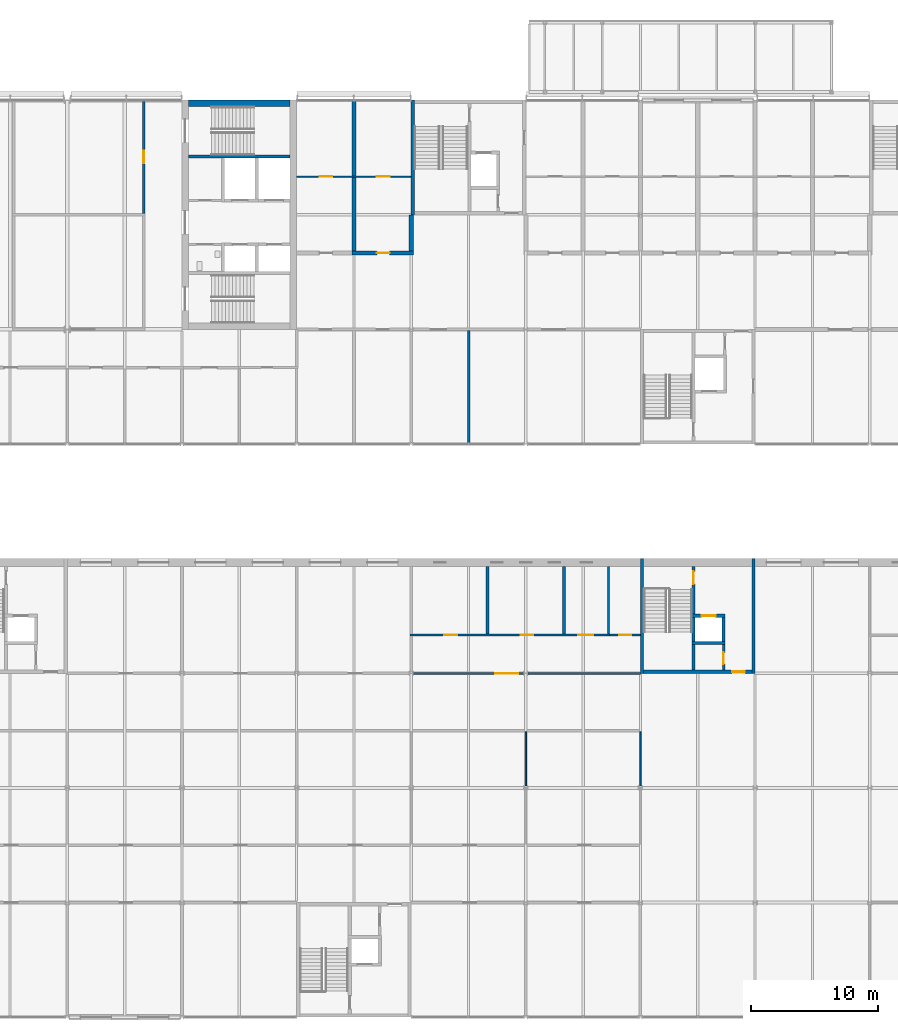
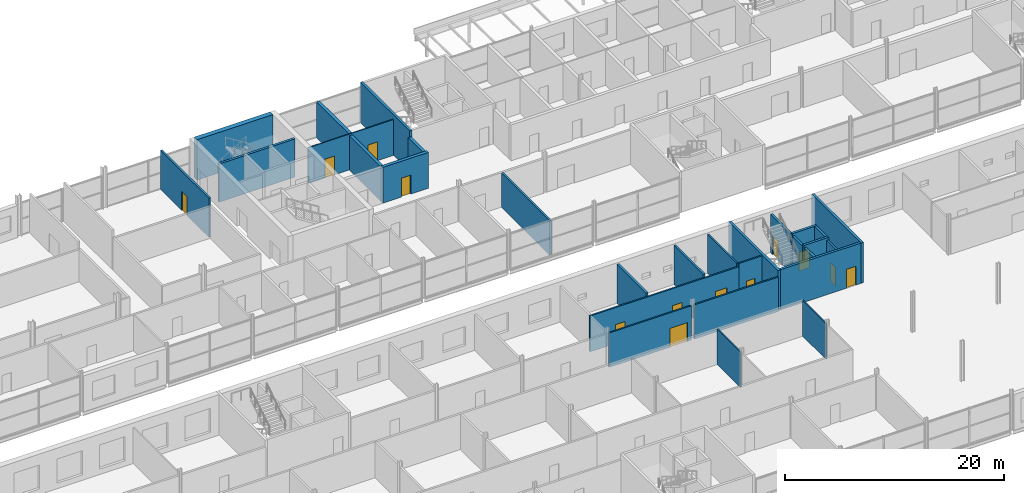
# One storey, part 75 of 97: 27 walls, 13 doors, 13 openings.
"""IFC4 building model written with IfcOpenShell, lengths in metres."""

from ifc_helpers import new_model, si_unit, direction, frame, frame_2d, origin, place, context, subcontext, project, spatial, rectangle, extrude, material, layer, layer_set, type_object, element, fill, save


model = new_model("IFC4")

# Units and contexts
model_context = context("Model", 3, precision=1e-05, world=origin(), true_north=direction((0.0, 1.0)))
body_context = subcontext(model_context, "Body", "Model", "MODEL_VIEW")
ifc_project = project(units=[si_unit("LENGTHUNIT", "METRE"), si_unit("AREAUNIT", "SQUARE_METRE"), si_unit("VOLUMEUNIT", "CUBIC_METRE"), si_unit("PLANEANGLEUNIT", "RADIAN"), si_unit("MASSUNIT", "GRAM", prefix="KILO")], contexts=[model_context])

# Site, building, storey
site_placement = place(None, origin())
site = spatial("IfcSite", under=ifc_project, at=site_placement, CompositionType="ELEMENT")
building_placement = place(site_placement, origin())
building = spatial("IfcBuilding", under=site, at=building_placement, Name="Corbel Yard City Hall", CompositionType="ELEMENT")
storey_placement = place(building_placement, frame((0.0, 0.0, 6.0)))
storey = spatial("IfcBuildingStorey", under=building, at=storey_placement, Name="L01", CompositionType="ELEMENT", Elevation=6.0)

# Walls
ifc_material_1 = material(Name="Concrete N50 (50 MPa)", Category="concrete")
ifc_layer_1 = layer(ifc_material_1, 0.25)
ifc_layer_set_1 = layer_set([ifc_layer_1], Name="Concrete N50 (50 MPa)")
wall_type_1 = type_object("IfcWallType", Name="Core cell wall 250", PredefinedType="SHEAR", material=ifc_layer_set_1)
for number, where, z_axis, x_axis, name in (
    (1, (81.125, 72.0, 0.0), (0.0, 0.0, 1.0), (0.0, 1.0, 0.0), "Core PC-M7 west wall"),
    (2, (89.875, 72.0, 0.0), (0.0, 0.0, 1.0), (0.0, 1.0, 0.0), "Core PC-M7 east wall"),
):
    element("IfcWall", number, at=place(storey_placement, frame(where, z_axis=z_axis, x_axis=x_axis)), inside=storey, type_object=wall_type_1, Name=name, PredefinedType="SHEAR", context=body_context, shape_type="SweptSolid", body=[
        extrude(rectangle(XDim=9.0, YDim=0.25, at=frame_2d((4.5, 0.0))), origin(), (0.0, 0.0, 1.0), 4.5),
    ])

# Wall, opening, door
wall_1_placement = place(storey_placement, frame((81.25, 72.125, 0.0), z_axis=(0.0, 0.0, 1.0), x_axis=(1.0, 0.0, 0.0)))
wall_1 = element("IfcWall", 3, at=wall_1_placement, inside=storey, type_object=wall_type_1, Name="Core PC-M7 south wall", PredefinedType="SHEAR", context=body_context, shape_type="SweptSolid", body=[
    extrude(rectangle(XDim=8.5, YDim=0.25, at=frame_2d((4.25, 0.0))), origin(), (0.0, 0.0, 1.0), 4.5),
])
opening_1_placement = place(wall_1_placement, frame((6.949951171875, 0.0, 0.0)))
opening_1 = element("IfcOpeningElement", 4, at=opening_1_placement, cuts=wall_1, Name="Opening L01-100", PredefinedType="OPENING", context=body_context, shape_type="SweptSolid", body=[
    extrude(rectangle(XDim=1.0, YDim=2.10009765625, at=frame_2d((0.5, 1.050048828125))), frame((0.0, 0.135009765625, 0.0), z_axis=(0.0, -1.0, 0.0), x_axis=(1.0, 0.0, 0.0)), (0.0, 0.0, 1.0), 0.27001953125),
])
ifc_material_2 = material(Name="Steel Grade G250", Category="steel")
door_type_1 = type_object("IfcDoorType", Name="FS1", OperationType="SINGLE_SWING_LEFT", PredefinedType="DOOR", material=ifc_material_2)
door_1_placement = place(opening_1_placement, origin())
door_1 = element("IfcDoor", 5, at=door_1_placement, inside=storey, type_object=door_type_1, Name="Door Lift Lobby", OperationType="SINGLE_SWING_LEFT", OverallHeight=2.10009765625, OverallWidth=1.0, PredefinedType="DOOR", context=body_context, shape_type="SweptSolid", body=[
    extrude(rectangle(XDim=1.0, YDim=2.10009765625, at=frame_2d((0.5, 1.050048828125))), frame((0.0, 0.02490234375, 0.0), z_axis=(0.0, -1.0, 0.0), x_axis=(1.0, 0.0, 0.0)), (0.0, 0.0, 1.0), 0.050048828125),
])
fill(opening_1, door_1)

# Wall
wall_2_placement = place(storey_placement, frame((63.125, 108.0, 0.0), z_axis=(0.0, 0.0, 1.0), x_axis=(0.0, 1.0, 0.0)))
element("IfcWall", 6, at=wall_2_placement, inside=storey, type_object=wall_type_1, Name="Core PC-N1 west wall", PredefinedType="SHEAR", context=body_context, shape_type="SweptSolid", body=[
    extrude(rectangle(XDim=9.0, YDim=0.25, at=frame_2d((4.5, 0.0))), origin(), (0.0, 0.0, 1.0), 4.5),
])

# Wall, opening, door
ifc_material_3 = material(Name="Concrete N40 (40 MPa)", Category="concrete")
ifc_layer_2 = layer(ifc_material_3, 0.25)
ifc_layer_set_2 = layer_set([ifc_layer_2], Name="Concrete N40 (40 MPa)")
wall_type_2 = type_object("IfcWallType", Name="IW2", PredefinedType="SOLIDWALL", material=ifc_layer_set_2)
wall_3_placement = place(storey_placement, frame((85.175048828125, 80.39990234375, 0.0), z_axis=(0.0, 0.0, 1.0), x_axis=(0.0, -1.0, 0.0)))
wall_3 = element("IfcWall", 7, at=wall_3_placement, inside=storey, type_object=wall_type_2, Name="Stair enclosure wall", PredefinedType="SOLIDWALL", context=body_context, shape_type="SweptSolid", body=[
    extrude(rectangle(XDim=8.14990234375, YDim=0.25, at=frame_2d((4.074951171875, 0.0))), origin(), (0.0, 0.0, 1.0), 4.25),
])
opening_2_placement = place(wall_3_placement, frame((0.39990234375, 0.0, 0.0)))
opening_2 = element("IfcOpeningElement", 8, at=opening_2_placement, cuts=wall_3, Name="Opening L01-099", PredefinedType="OPENING", context=body_context, shape_type="SweptSolid", body=[
    extrude(rectangle(XDim=1.0, YDim=2.10009765625, at=frame_2d((0.5, 1.050048828125))), frame((0.0, 0.135009765625, 0.0), z_axis=(0.0, -1.0, 0.0), x_axis=(1.0, 0.0, 0.0)), (0.0, 0.0, 1.0), 0.27001953125),
])
door_2_placement = place(opening_2_placement, frame((1.0, 0.0, 0.0), z_axis=(0.0, 0.0, 1.0), x_axis=(-1.0, 0.0, 0.0)))
door_2 = element("IfcDoor", 9, at=door_2_placement, inside=storey, type_object=door_type_1, Name="Door Exit Stair 14", OperationType="SINGLE_SWING_RIGHT", OverallHeight=2.10009765625, OverallWidth=1.0, PredefinedType="DOOR", context=body_context, shape_type="SweptSolid", body=[
    extrude(rectangle(XDim=1.0, YDim=2.10009765625, at=frame_2d((0.5, 1.050048828125))), frame((0.0, 0.02490234375, 0.0), z_axis=(0.0, -1.0, 0.0), x_axis=(1.0, 0.0, 0.0)), (0.0, 0.0, 1.0), 0.050048828125),
])
fill(opening_2, door_2)

# Wall
wall_4_placement = place(storey_placement, frame((85.050048828125, 74.375, 0.0), z_axis=(0.0, 0.0, 1.0), x_axis=(1.0, 0.0, 0.0)))
element("IfcWall", 10, at=wall_4_placement, inside=storey, type_object=wall_type_2, Name="Lift LP14 shaft wall", PredefinedType="SOLIDWALL", context=body_context, shape_type="SweptSolid", body=[
    extrude(rectangle(XDim=2.599853515625, YDim=0.25, at=frame_2d((1.2998046875, 0.0))), origin(), (0.0, 0.0, 1.0), 4.5),
])

# Wall, opening, door
wall_5_placement = place(storey_placement, frame((85.050048828125, 76.52490234375, 0.0), z_axis=(0.0, 0.0, 1.0), x_axis=(1.0, 0.0, 0.0)))
wall_5 = element("IfcWall", 11, at=wall_5_placement, inside=storey, type_object=wall_type_2, Name="Lift LP14 shaft wall", PredefinedType="SOLIDWALL", context=body_context, shape_type="SweptSolid", body=[
    extrude(rectangle(XDim=2.599853515625, YDim=0.25, at=frame_2d((1.2998046875, 0.0))), origin(), (0.0, 0.0, 1.0), 4.5),
])
opening_3_placement = place(wall_5_placement, frame((0.75, 0.0, 0.0)))
opening_3 = element("IfcOpeningElement", 12, at=opening_3_placement, cuts=wall_5, Name="Opening L01-056", PredefinedType="OPENING", context=body_context, shape_type="SweptSolid", body=[
    extrude(rectangle(XDim=1.10009765625, YDim=2.10009765625, at=frame_2d((0.550048828125, 1.050048828125))), frame((0.0, 0.135009765625, 0.0), z_axis=(0.0, -1.0, 0.0), x_axis=(1.0, 0.0, 0.0)), (0.0, 0.0, 1.0), 0.27001953125),
])
ifc_material_4 = material(Name="Stainless steel Grade 316", Category="steel")
door_type_2 = type_object("IfcDoorType", Name="LD1", OperationType="DOUBLE_DOOR_SLIDING", PredefinedType="DOOR", material=ifc_material_4)
door_3_placement = place(opening_3_placement, origin())
door_3 = element("IfcDoor", 13, at=door_3_placement, inside=storey, type_object=door_type_2, Name="Lift LP14 landing door", OperationType="DOUBLE_DOOR_SLIDING", OverallHeight=2.10009765625, OverallWidth=1.10009765625, PredefinedType="DOOR", context=body_context, shape_type="SweptSolid", body=[
    extrude(rectangle(XDim=1.10009765625, YDim=2.10009765625, at=frame_2d((0.550048828125, 1.050048828125))), frame((0.0, 0.02490234375, 0.0), z_axis=(0.0, -1.0, 0.0), x_axis=(1.0, 0.0, 0.0)), (0.0, 0.0, 1.0), 0.050048828125),
])
fill(opening_3, door_3)

# Walls
wall_6_placement = place(storey_placement, frame((87.52490234375, 74.5, 0.0), z_axis=(0.0, 0.0, 1.0), x_axis=(0.0, 1.0, 0.0)))
element("IfcWall", 14, at=wall_6_placement, inside=storey, type_object=wall_type_2, Name="Lift LP14 shaft wall", PredefinedType="SOLIDWALL", context=body_context, shape_type="SweptSolid", body=[
    extrude(rectangle(XDim=1.89990234375, YDim=0.25, at=frame_2d((0.949951171875, 0.0))), origin(), (0.0, 0.0, 1.0), 4.5),
])
wall_7_placement = place(storey_placement, frame((45.5, 112.574951171875, 0.0), z_axis=(0.0, 0.0, 1.0), x_axis=(1.0, 0.0, 0.0)))
element("IfcWall", 15, at=wall_7_placement, inside=storey, type_object=wall_type_2, Name="Stair enclosure wall", PredefinedType="SOLIDWALL", context=body_context, shape_type="SweptSolid", body=[
    extrude(rectangle(XDim=8.0, YDim=0.25, at=frame_2d((4.0, 0.0))), origin(), (0.0, 0.0, 1.0), 4.25),
])
ifc_material_5 = material(Name="Gypsum plasterboard", Category="gypsum")
ifc_layer_3 = layer(ifc_material_5, 0.028076171875)
ifc_material_6 = material(Name="Steel Grade G550 (550 MPa yield)", Category="steel")
ifc_layer_4 = layer(ifc_material_6, 0.06396484375)
ifc_layer_5 = layer(ifc_material_5, 0.028076171875)
ifc_layer_set_3 = layer_set([ifc_layer_3, ifc_layer_4, ifc_layer_5], Name="Steel Grade G550 (550 MPa yield)")
wall_type_3 = type_object("IfcWallType", Name="PT1", PredefinedType="PARTITIONING", material=ifc_layer_set_3)
wall_8_placement = place(storey_placement, frame((72.0, 63.157470703125, 0.0), z_axis=(0.0, 0.0, 1.0), x_axis=(0.0, 1.0, 0.0)))
element("IfcWall", 16, at=wall_8_placement, inside=storey, type_object=wall_type_3, Name="Partition", PredefinedType="PARTITIONING", context=body_context, shape_type="SweptSolid", body=[
    extrude(rectangle(XDim=4.242431640625, YDim=0.1201171875, at=frame_2d((2.12109375, 0.0))), origin(), (0.0, 0.0, 1.0), 3.947021484375),
])
wall_9_placement = place(storey_placement, frame((81.0, 63.157470703125, 0.0), z_axis=(0.0, 0.0, 1.0), x_axis=(0.0, 1.0, 0.0)))
element("IfcWall", 17, at=wall_9_placement, inside=storey, type_object=wall_type_3, Name="Partition", PredefinedType="PARTITIONING", context=body_context, shape_type="SweptSolid", body=[
    extrude(rectangle(XDim=4.242431640625, YDim=0.1201171875, at=frame_2d((2.12109375, 0.0))), origin(), (0.0, 0.0, 1.0), 3.993896484375),
])

# Wall, opening, door
ifc_layer_6 = layer(ifc_material_5, 0.031982421875)
ifc_layer_7 = layer(ifc_material_6, 0.135986328125)
ifc_layer_8 = layer(ifc_material_5, 0.031982421875)
ifc_layer_set_4 = layer_set([ifc_layer_6, ifc_layer_7, ifc_layer_8], Name="Steel Grade G550 (550 MPa yield)")
wall_type_4 = type_object("IfcWallType", Name="PT2", PredefinedType="PARTITIONING", material=ifc_layer_set_4)
wall_10_placement = place(storey_placement, frame((42.0, 108.10009765625, 0.0), z_axis=(0.0, 0.0, 1.0), x_axis=(0.0, 1.0, 0.0)))
wall_10 = element("IfcWall", 18, at=wall_10_placement, inside=storey, type_object=wall_type_4, Name="Acoustic wall", PredefinedType="PARTITIONING", context=body_context, shape_type="SweptSolid", body=[
    extrude(rectangle(XDim=8.7998046875, YDim=0.199951171875, at=frame_2d((4.39990234375, 0.0))), origin(), (0.0, 0.0, 1.0), 4.35009765625),
])
opening_4_placement = place(wall_10_placement, frame((3.949951171875, 0.0, 0.0)))
opening_4 = element("IfcOpeningElement", 19, at=opening_4_placement, cuts=wall_10, Name="Opening L01-176", PredefinedType="OPENING", context=body_context, shape_type="SweptSolid", body=[
    extrude(rectangle(XDim=1.0, YDim=2.10009765625, at=frame_2d((0.5, 1.050048828125))), frame((0.0, 0.10986328125, 0.0), z_axis=(0.0, -1.0, 0.0), x_axis=(1.0, 0.0, 0.0)), (0.0, 0.0, 1.0), 0.219970703125),
])
ifc_material_7 = material(Name="Timber", Category="wood")
door_type_3 = type_object("IfcDoorType", Name="D1", OperationType="SINGLE_SWING_LEFT", PredefinedType="DOOR", material=ifc_material_7)
door_4_placement = place(opening_4_placement, origin())
door_4 = element("IfcDoor", 20, at=door_4_placement, inside=storey, type_object=door_type_3, Name="Door Staff Amenity Room", OperationType="SINGLE_SWING_LEFT", OverallHeight=2.10009765625, OverallWidth=1.0, PredefinedType="DOOR", context=body_context, shape_type="SweptSolid", body=[
    extrude(rectangle(XDim=1.0, YDim=2.10009765625, at=frame_2d((0.5, 1.050048828125))), frame((0.0, 0.02490234375, 0.0), z_axis=(0.0, -1.0, 0.0), x_axis=(1.0, 0.0, 0.0)), (0.0, 0.0, 1.0), 0.050048828125),
])
fill(opening_4, door_4)

# Wall
wall_11_placement = place(storey_placement, frame((67.5, 90.10009765625, 0.0), z_axis=(0.0, 0.0, 1.0), x_axis=(0.0, 1.0, 0.0)))
element("IfcWall", 21, at=wall_11_placement, inside=storey, type_object=wall_type_4, Name="Acoustic wall", PredefinedType="PARTITIONING", context=body_context, shape_type="SweptSolid", body=[
    extrude(rectangle(XDim=8.7998046875, YDim=0.199951171875, at=frame_2d((4.39990234375, 0.0))), origin(), (0.0, 0.0, 1.0), 3.822021484375),
])

# Wall, opening, door
ifc_layer_9 = layer(ifc_material_5, 0.031982421875)
ifc_layer_10 = layer(ifc_material_6, 0.260986328125)
ifc_layer_11 = layer(ifc_material_5, 0.031982421875)
ifc_layer_set_5 = layer_set([ifc_layer_9, ifc_layer_10, ifc_layer_11], Name="Steel Grade G550 (550 MPa yield)")
wall_type_5 = type_object("IfcWallType", Name="PT20", PredefinedType="PARTITIONING", material=ifc_layer_set_5)
wall_12_placement = place(storey_placement, frame((58.33740234375, 105.0, 0.0), z_axis=(0.0, 0.0, 1.0), x_axis=(1.0, 0.0, 0.0)))
wall_12 = element("IfcWall", 22, at=wall_12_placement, inside=storey, type_object=wall_type_5, Name="Acoustic partition", PredefinedType="PARTITIONING", context=body_context, shape_type="SweptSolid", body=[
    extrude(rectangle(XDim=4.8251953125, YDim=0.324951171875, at=frame_2d((2.41259765625, 0.0))), origin(), (0.0, 0.0, 1.0), 3.993896484375),
])
opening_5_placement = place(wall_12_placement, frame((1.96240234375, 0.0, 0.0)))
opening_5 = element("IfcOpeningElement", 23, at=opening_5_placement, cuts=wall_12, Name="Opening L01-188", PredefinedType="OPENING", context=body_context, shape_type="SweptSolid", body=[
    extrude(rectangle(XDim=1.0, YDim=2.10009765625, at=frame_2d((0.5, 1.050048828125))), frame((0.0, 0.17236328125, 0.0), z_axis=(0.0, -1.0, 0.0), x_axis=(1.0, 0.0, 0.0)), (0.0, 0.0, 1.0), 0.344970703125),
])
door_5_placement = place(opening_5_placement, origin())
door_5 = element("IfcDoor", 24, at=door_5_placement, inside=storey, type_object=door_type_3, Name="Door Councillor's Assistant Room 02", OperationType="SINGLE_SWING_RIGHT", OverallHeight=2.10009765625, OverallWidth=1.0, PredefinedType="DOOR", context=body_context, shape_type="SweptSolid", body=[
    extrude(rectangle(XDim=1.0, YDim=2.10009765625, at=frame_2d((0.5, 1.050048828125))), frame((0.0, 0.02490234375, 0.0), z_axis=(0.0, -1.0, 0.0), x_axis=(1.0, 0.0, 0.0)), (0.0, 0.0, 1.0), 0.050048828125),
])
fill(opening_5, door_5)

# Walls
wall_13_placement = place(storey_placement, frame((58.5, 105.16259765625, 0.0), z_axis=(0.0, 0.0, 1.0), x_axis=(0.0, 1.0, 0.0)))
element("IfcWall", 25, at=wall_13_placement, inside=storey, type_object=wall_type_5, Name="Acoustic partition", PredefinedType="PARTITIONING", context=body_context, shape_type="SweptSolid", body=[
    extrude(rectangle(XDim=5.787353515625, YDim=0.324951171875, at=frame_2d((2.8935546875, 0.0))), origin(), (0.0, 0.0, 1.0), 3.822021484375),
])
wall_14_placement = place(storey_placement, frame((58.5, 111.050048828125, 0.0), z_axis=(0.0, 0.0, 1.0), x_axis=(0.0, 1.0, 0.0)))
element("IfcWall", 26, at=wall_14_placement, inside=storey, type_object=wall_type_5, Name="Acoustic partition", PredefinedType="PARTITIONING", context=body_context, shape_type="SweptSolid", body=[
    extrude(rectangle(XDim=5.849853515625, YDim=0.324951171875, at=frame_2d((2.9248046875, 0.0))), origin(), (0.0, 0.0, 1.0), 3.993896484375),
])
wall_15_placement = place(storey_placement, frame((63.0, 105.16259765625, 0.0), z_axis=(0.0, 0.0, 1.0), x_axis=(0.0, 1.0, 0.0)))
element("IfcWall", 27, at=wall_15_placement, inside=storey, type_object=wall_type_5, Name="Acoustic partition", PredefinedType="PARTITIONING", context=body_context, shape_type="SweptSolid", body=[
    extrude(rectangle(XDim=2.83740234375, YDim=0.324951171875, at=frame_2d((1.418701171875, 0.0))), origin(), (0.0, 0.0, 1.0), 3.822021484375),
])

# Wall, openings, doors
ifc_layer_12 = layer(ifc_material_5, 0.01806640625)
ifc_layer_13 = layer(ifc_material_6, 0.06396484375)
ifc_layer_14 = layer(ifc_material_5, 0.01806640625)
ifc_layer_set_6 = layer_set([ifc_layer_12, ifc_layer_13, ifc_layer_14], Name="Steel Grade G550 (550 MPa yield)")
wall_type_6 = type_object("IfcWallType", Name="PT23", PredefinedType="PARTITIONING", material=ifc_layer_set_6)
wall_16_placement = place(storey_placement, frame((54.0, 111.0, 0.0), z_axis=(0.0, 0.0, 1.0), x_axis=(1.0, 0.0, 0.0)))
wall_16 = element("IfcWall", 28, at=wall_16_placement, inside=storey, type_object=wall_type_6, Name="Light partition", PredefinedType="PARTITIONING", context=body_context, shape_type="SweptSolid", body=[
    extrude(rectangle(XDim=9.0, YDim=0.10009765625, at=frame_2d((4.5, 0.0))), origin(), (0.0, 0.0, 1.0), 3.993896484375),
])
opening_6_placement = place(wall_16_placement, frame((1.800048828125, 0.0, 0.0)))
opening_6 = element("IfcOpeningElement", 29, at=opening_6_placement, cuts=wall_16, Name="Opening L01-187", PredefinedType="OPENING", context=body_context, shape_type="SweptSolid", body=[
    extrude(rectangle(XDim=1.0, YDim=2.10009765625, at=frame_2d((0.5, 1.050048828125))), frame((0.0, 0.06005859375, 0.0), z_axis=(0.0, -1.0, 0.0), x_axis=(1.0, 0.0, 0.0)), (0.0, 0.0, 1.0), 0.1201171875),
])
opening_7_placement = place(wall_16_placement, frame((6.300048828125, 0.0, 0.0)))
opening_7 = element("IfcOpeningElement", 30, at=opening_7_placement, cuts=wall_16, Name="Opening L01-189", PredefinedType="OPENING", context=body_context, shape_type="SweptSolid", body=[
    extrude(rectangle(XDim=1.0, YDim=2.10009765625, at=frame_2d((0.5, 1.050048828125))), frame((0.0, 0.06005859375, 0.0), z_axis=(0.0, -1.0, 0.0), x_axis=(1.0, 0.0, 0.0)), (0.0, 0.0, 1.0), 0.1201171875),
])
door_6_placement = place(opening_6_placement, origin())
door_6 = element("IfcDoor", 31, at=door_6_placement, inside=storey, type_object=door_type_3, Name="Door Councillor's Office 01", OperationType="SINGLE_SWING_RIGHT", OverallHeight=2.10009765625, OverallWidth=1.0, PredefinedType="DOOR", context=body_context, shape_type="SweptSolid", body=[
    extrude(rectangle(XDim=1.0, YDim=2.10009765625, at=frame_2d((0.5, 1.050048828125))), frame((0.0, 0.02490234375, 0.0), z_axis=(0.0, -1.0, 0.0), x_axis=(1.0, 0.0, 0.0)), (0.0, 0.0, 1.0), 0.050048828125),
])
fill(opening_6, door_6)
door_7_placement = place(opening_7_placement, origin())
door_7 = element("IfcDoor", 32, at=door_7_placement, inside=storey, type_object=door_type_3, Name="Door Councillor's Office 02", OperationType="SINGLE_SWING_LEFT", OverallHeight=2.10009765625, OverallWidth=1.0, PredefinedType="DOOR", context=body_context, shape_type="SweptSolid", body=[
    extrude(rectangle(XDim=1.0, YDim=2.10009765625, at=frame_2d((0.5, 1.050048828125))), frame((0.0, 0.02490234375, 0.0), z_axis=(0.0, -1.0, 0.0), x_axis=(1.0, 0.0, 0.0)), (0.0, 0.0, 1.0), 0.050048828125),
])
fill(opening_7, door_7)

# Wall, opening, door
ifc_layer_15 = layer(ifc_material_5, 0.031982421875)
ifc_layer_16 = layer(ifc_material_6, 0.095947265625)
ifc_layer_17 = layer(ifc_material_5, 0.031982421875)
ifc_layer_set_7 = layer_set([ifc_layer_15, ifc_layer_16, ifc_layer_17], Name="Steel Grade G550 (550 MPa yield)")
wall_type_7 = type_object("IfcWallType", Name="PT3", PredefinedType="PARTITIONING", material=ifc_layer_set_7)
wall_17_placement = place(storey_placement, frame((63.157470703125, 72.0, 0.0), z_axis=(0.0, 0.0, 1.0), x_axis=(1.0, 0.0, 0.0)))
wall_17 = element("IfcWall", 33, at=wall_17_placement, inside=storey, type_object=wall_type_7, Name="Fire-resisting wall", PredefinedType="PARTITIONING", context=body_context, shape_type="SweptSolid", body=[
    extrude(rectangle(XDim=8.68505859375, YDim=0.159912109375, at=frame_2d((4.342529296875, 0.0))), origin(), (0.0, 0.0, 1.0), 3.822021484375),
])
opening_8_placement = place(wall_17_placement, frame((6.4423828125, 0.0, 0.0)))
opening_8 = element("IfcOpeningElement", 34, at=opening_8_placement, cuts=wall_17, Name="Opening L01-091", PredefinedType="OPENING", context=body_context, shape_type="SweptSolid", body=[
    extrude(rectangle(XDim=1.800048828125, YDim=2.10009765625, at=frame_2d((0.89990234375, 1.050048828125))), frame((0.0, 0.08984375, 0.0), z_axis=(0.0, -1.0, 0.0), x_axis=(1.0, 0.0, 0.0)), (0.0, 0.0, 1.0), 0.179931640625),
])
door_type_4 = type_object("IfcDoorType", Name="FD3", OperationType="DOUBLE_DOOR_SINGLE_SWING", PredefinedType="DOOR", material=ifc_material_2)
door_8_placement = place(opening_8_placement, origin())
door_8 = element("IfcDoor", 35, at=door_8_placement, inside=storey, type_object=door_type_4, Name="Door WC Lobby", OperationType="DOUBLE_DOOR_SINGLE_SWING", OverallHeight=2.10009765625, OverallWidth=1.800048828125, PredefinedType="DOOR", context=body_context, shape_type="SweptSolid", body=[
    extrude(rectangle(XDim=1.800048828125, YDim=2.10009765625, at=frame_2d((0.89990234375, 1.050048828125))), frame((0.0, 0.02490234375, 0.0), z_axis=(0.0, -1.0, 0.0), x_axis=(1.0, 0.0, 0.0)), (0.0, 0.0, 1.0), 0.050048828125),
])
fill(opening_8, door_8)

# Wall
wall_18_placement = place(storey_placement, frame((72.157470703125, 72.0, 0.0), z_axis=(0.0, 0.0, 1.0), x_axis=(1.0, 0.0, 0.0)))
element("IfcWall", 36, at=wall_18_placement, inside=storey, type_object=wall_type_7, Name="Fire-resisting wall", PredefinedType="PARTITIONING", context=body_context, shape_type="SweptSolid", body=[
    extrude(rectangle(XDim=8.842529296875, YDim=0.159912109375, at=frame_2d((4.42138671875, 0.0))), origin(), (0.0, 0.0, 1.0), 3.822021484375),
])

# Wall, openings, doors
wall_19_placement = place(storey_placement, frame((62.89990234375, 75.0, 0.0), z_axis=(0.0, 0.0, 1.0), x_axis=(1.0, 0.0, 0.0)))
wall_19 = element("IfcWall", 37, at=wall_19_placement, inside=storey, type_object=wall_type_7, Name="Fire-resisting wall", PredefinedType="PARTITIONING", context=body_context, shape_type="SweptSolid", body=[
    extrude(rectangle(XDim=15.68017578125, YDim=0.159912109375, at=frame_2d((7.840087890625, 0.0))), origin(), (0.0, 0.0, 1.0), 3.998046875),
])
opening_9_placement = place(wall_19_placement, frame((2.699951171875, 0.0, 0.0)))
opening_9 = element("IfcOpeningElement", 38, at=opening_9_placement, cuts=wall_19, Name="Opening L01-092", PredefinedType="OPENING", context=body_context, shape_type="SweptSolid", body=[
    extrude(rectangle(XDim=1.0, YDim=2.10009765625, at=frame_2d((0.5, 1.050048828125))), frame((0.0, 0.08984375, 0.0), z_axis=(0.0, -1.0, 0.0), x_axis=(1.0, 0.0, 0.0)), (0.0, 0.0, 1.0), 0.179931640625),
])
opening_10_placement = place(wall_19_placement, frame((8.699951171875, 0.0, 0.0)))
opening_10 = element("IfcOpeningElement", 39, at=opening_10_placement, cuts=wall_19, Name="Opening L01-093", PredefinedType="OPENING", context=body_context, shape_type="SweptSolid", body=[
    extrude(rectangle(XDim=1.0, YDim=2.10009765625, at=frame_2d((0.5, 1.050048828125))), frame((0.0, 0.08984375, 0.0), z_axis=(0.0, -1.0, 0.0), x_axis=(1.0, 0.0, 0.0)), (0.0, 0.0, 1.0), 0.179931640625),
])
opening_11_placement = place(wall_19_placement, frame((13.199951171875, 0.0, 0.0)))
opening_11 = element("IfcOpeningElement", 40, at=opening_11_placement, cuts=wall_19, Name="Opening L01-094", PredefinedType="OPENING", context=body_context, shape_type="SweptSolid", body=[
    extrude(rectangle(XDim=1.199951171875, YDim=2.10009765625, at=frame_2d((0.60009765625, 1.050048828125))), frame((0.0, 0.08984375, 0.0), z_axis=(0.0, -1.0, 0.0), x_axis=(1.0, 0.0, 0.0)), (0.0, 0.0, 1.0), 0.179931640625),
])
door_type_5 = type_object("IfcDoorType", Name="FD1", OperationType="SINGLE_SWING_LEFT", PredefinedType="DOOR", material=ifc_material_2)
door_9_placement = place(opening_9_placement, origin())
door_9 = element("IfcDoor", 41, at=door_9_placement, inside=storey, type_object=door_type_5, Name="Door Women's WC", OperationType="SINGLE_SWING_RIGHT", OverallHeight=2.10009765625, OverallWidth=1.0, PredefinedType="DOOR", context=body_context, shape_type="SweptSolid", body=[
    extrude(rectangle(XDim=1.0, YDim=2.10009765625, at=frame_2d((0.5, 1.050048828125))), frame((0.0, 0.02490234375, 0.0), z_axis=(0.0, -1.0, 0.0), x_axis=(1.0, 0.0, 0.0)), (0.0, 0.0, 1.0), 0.050048828125),
])
fill(opening_9, door_9)
door_10_placement = place(opening_10_placement, origin())
door_10 = element("IfcDoor", 42, at=door_10_placement, inside=storey, type_object=door_type_5, Name="Door Men's WC", OperationType="SINGLE_SWING_RIGHT", OverallHeight=2.10009765625, OverallWidth=1.0, PredefinedType="DOOR", context=body_context, shape_type="SweptSolid", body=[
    extrude(rectangle(XDim=1.0, YDim=2.10009765625, at=frame_2d((0.5, 1.050048828125))), frame((0.0, 0.02490234375, 0.0), z_axis=(0.0, -1.0, 0.0), x_axis=(1.0, 0.0, 0.0)), (0.0, 0.0, 1.0), 0.050048828125),
])
fill(opening_10, door_10)
door_type_6 = type_object("IfcDoorType", Name="FD7", OperationType="SINGLE_SWING_LEFT", PredefinedType="DOOR", material=ifc_material_2)
door_11_placement = place(opening_11_placement, origin())
door_11 = element("IfcDoor", 43, at=door_11_placement, inside=storey, type_object=door_type_6, Name="Door Accessible WC", OperationType="SINGLE_SWING_LEFT", OverallHeight=2.10009765625, OverallWidth=1.199951171875, PredefinedType="DOOR", context=body_context, shape_type="SweptSolid", body=[
    extrude(rectangle(XDim=1.199951171875, YDim=2.10009765625, at=frame_2d((0.60009765625, 1.050048828125))), frame((0.0, 0.02490234375, 0.0), z_axis=(0.0, -1.0, 0.0), x_axis=(1.0, 0.0, 0.0)), (0.0, 0.0, 1.0), 0.050048828125),
])
fill(opening_11, door_11)

# Wall, opening, door
wall_20_placement = place(storey_placement, frame((78.580078125, 75.0, 0.0), z_axis=(0.0, 0.0, 1.0), x_axis=(1.0, 0.0, 0.0)))
wall_20 = element("IfcWall", 44, at=wall_20_placement, inside=storey, type_object=wall_type_7, Name="Fire-resisting wall", PredefinedType="PARTITIONING", context=body_context, shape_type="SweptSolid", body=[
    extrude(rectangle(XDim=2.419921875, YDim=0.159912109375, at=frame_2d((1.2099609375, 0.0))), origin(), (0.0, 0.0, 1.0), 4.35009765625),
])
opening_12_placement = place(wall_20_placement, frame((0.77001953125, 0.0, 0.0)))
opening_12 = element("IfcOpeningElement", 45, at=opening_12_placement, cuts=wall_20, Name="Opening L01-095", PredefinedType="OPENING", context=body_context, shape_type="SweptSolid", body=[
    extrude(rectangle(XDim=0.919921875, YDim=2.10009765625, at=frame_2d((0.4599609375, 1.050048828125))), frame((0.0, 0.08984375, 0.0), z_axis=(0.0, -1.0, 0.0), x_axis=(1.0, 0.0, 0.0)), (0.0, 0.0, 1.0), 0.179931640625),
])
door_type_7 = type_object("IfcDoorType", Name="FD5", OperationType="SINGLE_SWING_RIGHT", PredefinedType="DOOR", material=ifc_material_2)
door_12_placement = place(opening_12_placement, origin())
door_12 = element("IfcDoor", 46, at=door_12_placement, inside=storey, type_object=door_type_7, Name="Door Cleaners' Store", OperationType="SINGLE_SWING_LEFT", OverallHeight=2.10009765625, OverallWidth=0.919921875, PredefinedType="DOOR", context=body_context, shape_type="SweptSolid", body=[
    extrude(rectangle(XDim=0.919921875, YDim=2.10009765625, at=frame_2d((0.4599609375, 1.050048828125))), frame((0.0, 0.02490234375, 0.0), z_axis=(0.0, -1.0, 0.0), x_axis=(1.0, 0.0, 0.0)), (0.0, 0.0, 1.0), 0.050048828125),
])
fill(opening_12, door_12)

# Wall
wall_21_placement = place(storey_placement, frame((78.5, 75.080078125, 0.0), z_axis=(0.0, 0.0, 1.0), x_axis=(0.0, 1.0, 0.0)))
element("IfcWall", 47, at=wall_21_placement, inside=storey, type_object=wall_type_7, Name="Fire-resisting wall", PredefinedType="PARTITIONING", context=body_context, shape_type="SweptSolid", body=[
    extrude(rectangle(XDim=5.31982421875, YDim=0.159912109375, at=frame_2d((2.659912109375, 0.0))), origin(), (0.0, 0.0, 1.0), 4.35009765625),
])

# Wall, opening, door
ifc_material_8 = material(Name="Concrete block", Category="concrete")
ifc_layer_18 = layer(ifc_material_8, 0.18994140625)
ifc_layer_set_8 = layer_set([ifc_layer_18], Name="Concrete block")
wall_type_8 = type_object("IfcWallType", Name="PT4", PredefinedType="PARTITIONING", material=ifc_layer_set_8)
wall_22_placement = place(storey_placement, frame((87.52490234375, 72.25, 0.0), z_axis=(0.0, 0.0, 1.0), x_axis=(0.0, 1.0, 0.0)))
wall_22 = element("IfcWall", 48, at=wall_22_placement, inside=storey, type_object=wall_type_8, Name="Fire-resisting block wall", PredefinedType="PARTITIONING", context=body_context, shape_type="SweptSolid", body=[
    extrude(rectangle(XDim=2.0, YDim=0.18994140625, at=frame_2d((1.0, 0.0))), origin(), (0.0, 0.0, 1.0), 4.25),
])
opening_13_placement = place(wall_22_placement, frame((0.4775390625, 0.0, 0.0)))
opening_13 = element("IfcOpeningElement", 49, at=opening_13_placement, cuts=wall_22, Name="Opening L01-101", PredefinedType="OPENING", context=body_context, shape_type="SweptSolid", body=[
    extrude(rectangle(XDim=0.919921875, YDim=2.10009765625, at=frame_2d((0.4599609375, 1.050048828125))), frame((0.0, 0.10498046875, 0.0), z_axis=(0.0, -1.0, 0.0), x_axis=(1.0, 0.0, 0.0)), (0.0, 0.0, 1.0), 0.2099609375),
])
door_type_8 = type_object("IfcDoorType", Name="FS5", OperationType="SINGLE_SWING_RIGHT", PredefinedType="DOOR", material=ifc_material_2)
door_13_placement = place(opening_13_placement, origin())
door_13 = element("IfcDoor", 50, at=door_13_placement, inside=storey, type_object=door_type_8, Name="Door Service Riser", OperationType="SINGLE_SWING_LEFT", OverallHeight=2.10009765625, OverallWidth=0.919921875, PredefinedType="DOOR", context=body_context, shape_type="SweptSolid", body=[
    extrude(rectangle(XDim=0.919921875, YDim=2.10009765625, at=frame_2d((0.4599609375, 1.050048828125))), frame((0.0, 0.02490234375, 0.0), z_axis=(0.0, -1.0, 0.0), x_axis=(1.0, 0.0, 0.0)), (0.0, 0.0, 1.0), 0.050048828125),
])
fill(opening_13, door_13)

# Walls
ifc_layer_19 = layer(ifc_material_5, 0.031982421875)
ifc_layer_20 = layer(ifc_material_6, 0.156005859375)
ifc_layer_21 = layer(ifc_material_5, 0.031982421875)
ifc_layer_set_9 = layer_set([ifc_layer_19, ifc_layer_20, ifc_layer_21], Name="Steel Grade G550 (550 MPa yield)")
wall_type_9 = type_object("IfcWallType", Name="PT5", PredefinedType="PLUMBINGWALL", material=ifc_layer_set_9)
for number, where, z_axis, x_axis, name in (
    (51, (69.0, 75.080078125, 0.0), (0.0, 0.0, 1.0), (0.0, 1.0, 0.0), "Wet wall"),
    (52, (75.0, 75.080078125, 0.0), (0.0, 0.0, 1.0), (0.0, 1.0, 0.0), "Wet wall"),
):
    element("IfcWall", number, at=place(storey_placement, frame(where, z_axis=z_axis, x_axis=x_axis)), inside=storey, type_object=wall_type_9, Name=name, PredefinedType="PLUMBINGWALL", context=body_context, shape_type="SweptSolid", body=[
        extrude(rectangle(XDim=5.31982421875, YDim=0.219970703125, at=frame_2d((2.659912109375, 0.0))), origin(), (0.0, 0.0, 1.0), 4.35009765625),
    ])
ifc_layer_22 = layer(ifc_material_1, 0.5)
ifc_layer_set_10 = layer_set([ifc_layer_22], Name="Concrete N50 (50 MPa)")
wall_type_10 = type_object("IfcWallType", Name="Trunk wall 500", PredefinedType="SHEAR", material=ifc_layer_set_10)
wall_23_placement = place(storey_placement, frame((45.5, 116.75, 0.0), z_axis=(0.0, 0.0, 1.0), x_axis=(1.0, 0.0, 0.0)))
element("IfcWall", 53, at=wall_23_placement, inside=storey, type_object=wall_type_10, Name="Trunk E north wall", PredefinedType="SHEAR", context=body_context, shape_type="SweptSolid", body=[
    extrude(rectangle(XDim=8.0, YDim=0.5, at=frame_2d((4.0, 0.0))), origin(), (0.0, 0.0, 1.0), 4.5),
])

save(model, "model.ifc")
